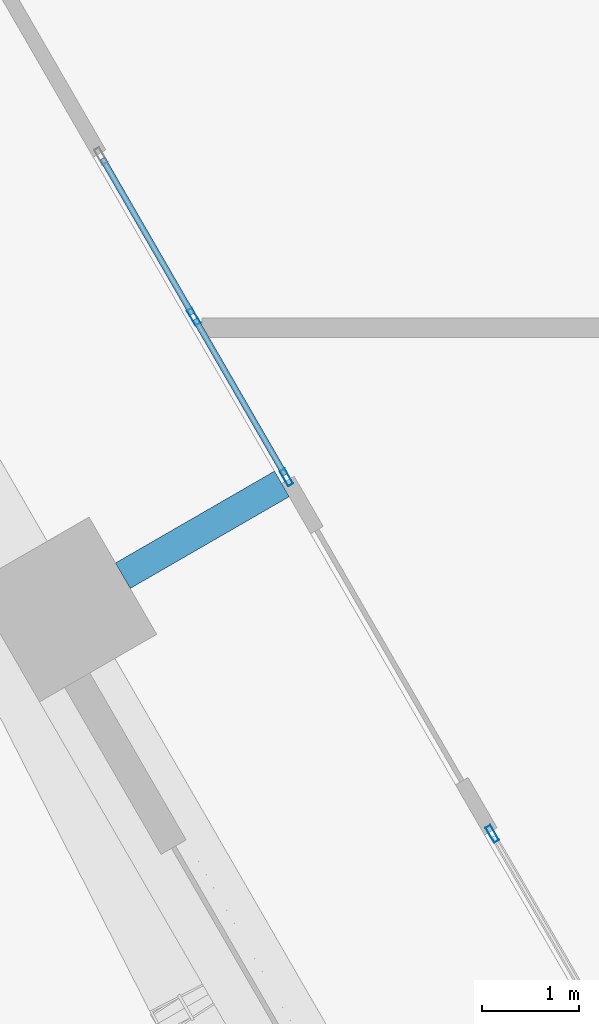
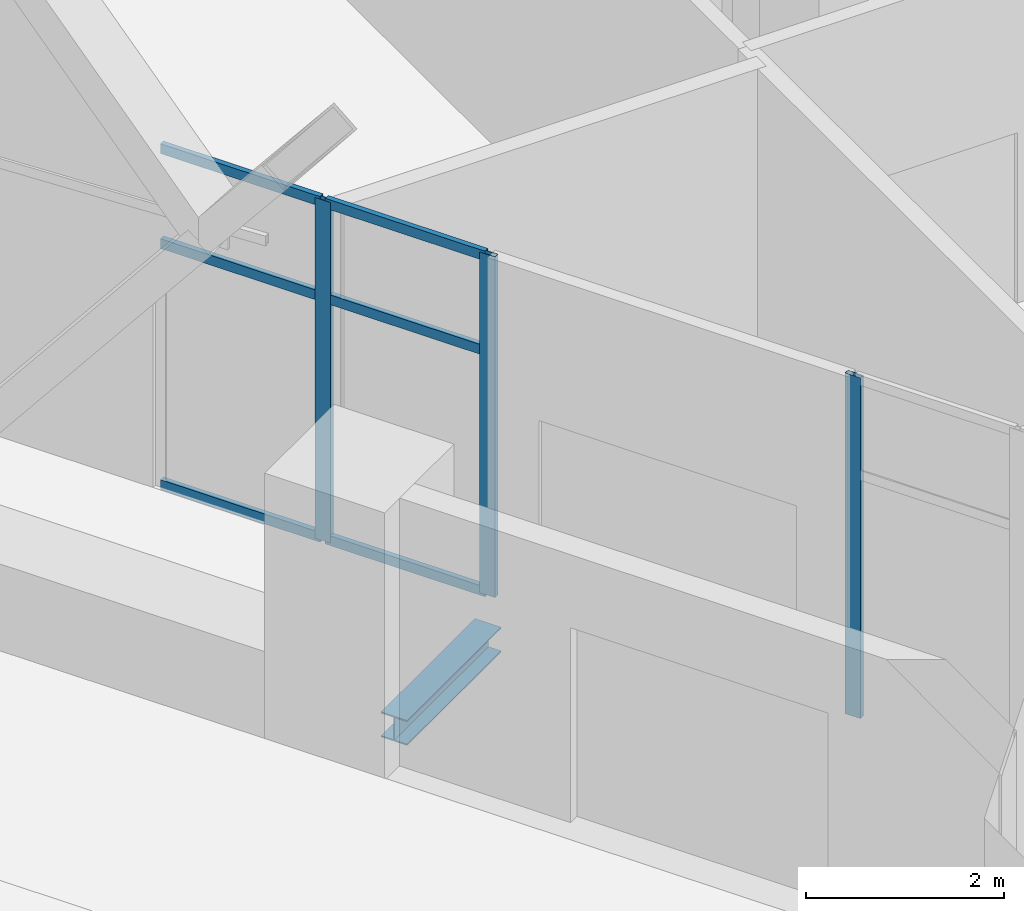
# One storey, part 19 of 71: 9 members, 1 beam, 2 elements without a shape of their own.
"""IFC4 building model written with IfcOpenShell, lengths in metres."""

from ifc_helpers import new_model, si_unit, direction, frame, origin, origin_2d, place, context, subcontext, project, spatial, hollow_rectangle, i_section, extrude, material, material_profile, profile_set, type_object, element, aggregate, save


model = new_model("IFC4")

# Units and contexts
model_context = context("Model", 3, precision=1e-05, world=origin(), true_north=direction((0.0, 1.0)))
body_context = subcontext(model_context, "Body", "Model", "MODEL_VIEW")
ifc_project = project(units=[si_unit("LENGTHUNIT", "METRE"), si_unit("AREAUNIT", "SQUARE_METRE"), si_unit("VOLUMEUNIT", "CUBIC_METRE"), si_unit("PLANEANGLEUNIT", "RADIAN"), si_unit("MASSUNIT", "GRAM", prefix="KILO")], contexts=[model_context])

# Site, building, storey
site_placement = place(None, origin())
site = spatial("IfcSite", under=ifc_project, at=site_placement, CompositionType="ELEMENT")
building_placement = place(site_placement, origin())
building = spatial("IfcBuilding", under=site, at=building_placement, Name="Ostrander Bayou Hotel Tower", CompositionType="ELEMENT")
storey_placement = place(building_placement, frame((0.0, 0.0, 10.0)))
storey = spatial("IfcBuildingStorey", under=building, at=storey_placement, Name="L02", CompositionType="ELEMENT", Elevation=10.0)

# Curtain wall, members
ifc_material_1 = material(Name="Aluminium and clear glass", Category="aluminium")
curtain_wall_type = type_object("IfcCurtainWallType", Name="CW-SKY amenity glass wall", PredefinedType="NOTDEFINED", material=ifc_material_1)
curtain_wall_1_placement = place(storey_placement, origin())
curtain_wall_1 = element("IfcCurtainWall", 1, at=curtain_wall_1_placement, inside=storey, type_object=curtain_wall_type, Name="CW-SKY L02 SW 1", PredefinedType="NOTDEFINED")
ifc_material_2 = material(Name="Aluminium", Category="aluminium")
ifc_material_profile_1 = material_profile(ifc_material_2, hollow_rectangle(XDim=0.06005859375, YDim=0.179931640625, WallThickness=0.00390625, at=origin_2d()))
ifc_profile_set_1 = profile_set([ifc_material_profile_1], Name="Aluminium")
member_type_1 = type_object("IfcMemberType", Name="CW-SK mullion 60 x 180 mm", PredefinedType="MULLION", material=ifc_profile_set_1)
member_1_placement = place(storey_placement, frame((-19.031494140625, -3.886474609375, 0.0), z_axis=(0.0, 0.0, 1.0), x_axis=(0.866025463091, 0.499999897278, 0.0)))
member_1 = element("IfcMember", 2, at=member_1_placement, type_object=member_type_1, Name="CW-SKY mullion 2", PredefinedType="MULLION", context=body_context, shape_type="SweptSolid", body=[
    extrude(hollow_rectangle(XDim=0.06005859375, YDim=0.179931640625, WallThickness=0.00390625, at=origin_2d()), origin(), (0.0, 0.0, 1.0), 4.199951171875),
])
member_2_placement = place(storey_placement, frame((-18.071533203125, -5.54931640625, 0.0), z_axis=(0.0, 0.0, 1.0), x_axis=(0.866025463091, 0.499999897278, 0.0)))
member_2 = element("IfcMember", 3, at=member_2_placement, type_object=member_type_1, Name="CW-SKY mullion 3", PredefinedType="MULLION", context=body_context, shape_type="SweptSolid", body=[
    extrude(hollow_rectangle(XDim=0.06005859375, YDim=0.179931640625, WallThickness=0.00390625, at=origin_2d()), origin(), (0.0, 0.0, 1.0), 4.199951171875),
])

# Curtain wall, member
curtain_wall_2_placement = place(storey_placement, origin())
curtain_wall_2 = element("IfcCurtainWall", 4, at=curtain_wall_2_placement, inside=storey, type_object=curtain_wall_type, Name="CW-SKY L02 SW 3", PredefinedType="NOTDEFINED")
member_3_placement = place(storey_placement, frame((-15.94140625, -9.238525390625, 0.0), z_axis=(0.0, 0.0, 1.0), x_axis=(0.866025463091, 0.499999897278, 0.0)))
member_3 = element("IfcMember", 5, at=member_3_placement, type_object=member_type_1, Name="CW-SKY mullion 1", PredefinedType="MULLION", context=body_context, shape_type="SweptSolid", body=[
    extrude(hollow_rectangle(XDim=0.06005859375, YDim=0.179931640625, WallThickness=0.00390625, at=origin_2d()), origin(), (0.0, 0.0, 1.0), 4.199951171875),
])
aggregate(curtain_wall_2, [member_3])

# Member
ifc_material_3 = material(Name="Aluminium", Category="aluminium")
ifc_material_profile_2 = material_profile(ifc_material_3, hollow_rectangle(XDim=0.06005859375, YDim=0.1201171875, WallThickness=0.00390625, at=origin_2d()))
ifc_profile_set_2 = profile_set([ifc_material_profile_2], Name="Aluminium")
member_type_2 = type_object("IfcMemberType", Name="CW-SK transom 60 x 120 mm", PredefinedType="USERDEFINED", material=ifc_profile_set_2)
member_4_placement = place(storey_placement, frame((-19.9765625, -2.249755859375, 0.030029296875), z_axis=(0.50012012977, -0.86595603572, 0.0), x_axis=(0.86595603572, 0.50012012977, 0.0)))
member_4 = element("IfcMember", 6, at=member_4_placement, type_object=member_type_2, Name="CW-SKY transom 1.1", ObjectType="TRANSOM", PredefinedType="USERDEFINED", context=body_context, shape_type="SweptSolid", body=[
    extrude(hollow_rectangle(XDim=0.06005859375, YDim=0.1201171875, WallThickness=0.00390625, at=origin_2d()), origin(), (0.0, 0.0, 1.0), 1.85986328125),
])

member_5_placement = place(storey_placement, frame((-19.9765625, -2.249755859375, 3.0), z_axis=(0.50012012977, -0.86595603572, 0.0), x_axis=(0.86595603572, 0.50012012977, 0.0)))
member_5 = element("IfcMember", 7, at=member_5_placement, type_object=member_type_2, Name="CW-SKY transom 1.2", ObjectType="TRANSOM", PredefinedType="USERDEFINED", context=body_context, shape_type="SweptSolid", body=[
    extrude(hollow_rectangle(XDim=0.06005859375, YDim=0.1201171875, WallThickness=0.00390625, at=origin_2d()), origin(), (0.0, 0.0, 1.0), 1.85986328125),
])

member_6_placement = place(storey_placement, frame((-19.9765625, -2.249755859375, 4.169921875), z_axis=(0.50012012977, -0.86595603572, 0.0), x_axis=(0.86595603572, 0.50012012977, 0.0)))
member_6 = element("IfcMember", 8, at=member_6_placement, type_object=member_type_2, Name="CW-SKY transom 1.3", ObjectType="TRANSOM", PredefinedType="USERDEFINED", context=body_context, shape_type="SweptSolid", body=[
    extrude(hollow_rectangle(XDim=0.06005859375, YDim=0.1201171875, WallThickness=0.00390625, at=origin_2d()), origin(), (0.0, 0.0, 1.0), 1.85986328125),
])

member_7_placement = place(storey_placement, frame((-19.0166015625, -3.912353515625, 0.030029296875), z_axis=(0.500063286585, -0.865988862174, 0.0), x_axis=(0.865988862174, 0.500063286585, 0.0)))
member_7 = element("IfcMember", 9, at=member_7_placement, type_object=member_type_2, Name="CW-SKY transom 2.1", ObjectType="TRANSOM", PredefinedType="USERDEFINED", context=body_context, shape_type="SweptSolid", body=[
    extrude(hollow_rectangle(XDim=0.06005859375, YDim=0.1201171875, WallThickness=0.00390625, at=origin_2d()), origin(), (0.0, 0.0, 1.0), 1.860107421875),
])

member_8_placement = place(storey_placement, frame((-19.0166015625, -3.912353515625, 3.0), z_axis=(0.500063286585, -0.865988862174, 0.0), x_axis=(0.865988862174, 0.500063286585, 0.0)))
member_8 = element("IfcMember", 10, at=member_8_placement, type_object=member_type_2, Name="CW-SKY transom 2.2", ObjectType="TRANSOM", PredefinedType="USERDEFINED", context=body_context, shape_type="SweptSolid", body=[
    extrude(hollow_rectangle(XDim=0.06005859375, YDim=0.1201171875, WallThickness=0.00390625, at=origin_2d()), origin(), (0.0, 0.0, 1.0), 1.860107421875),
])

member_9_placement = place(storey_placement, frame((-19.0166015625, -3.912353515625, 4.169921875), z_axis=(0.500063286585, -0.865988862174, 0.0), x_axis=(0.865988862174, 0.500063286585, 0.0)))
member_9 = element("IfcMember", 11, at=member_9_placement, type_object=member_type_2, Name="CW-SKY transom 2.3", ObjectType="TRANSOM", PredefinedType="USERDEFINED", context=body_context, shape_type="SweptSolid", body=[
    extrude(hollow_rectangle(XDim=0.06005859375, YDim=0.1201171875, WallThickness=0.00390625, at=origin_2d()), origin(), (0.0, 0.0, 1.0), 1.860107421875),
])

aggregate(curtain_wall_1, [member_1, member_2, member_4, member_5, member_6, member_7, member_8, member_9])

# Beam
ifc_material_4 = material(Name="Steel ASTM A992", Category="steel")
ifc_material_profile_3 = material_profile(ifc_material_4, i_section(OverallWidth=0.3046875, OverallDepth=0.307861328125, WebThickness=0.010009765625, FlangeThickness=0.015380859375, at=origin_2d()))
ifc_profile_set_3 = profile_set([ifc_material_profile_3], Name="Steel ASTM A992")
beam_type = type_object("IfcBeamType", Name="LB1 loggia bracket W12x65", PredefinedType="BEAM", material=ifc_profile_set_3)
beam_placement = place(storey_placement, frame((-19.7646484375, -6.566650390625, -0.453857421875), z_axis=(0.866044365799, 0.499967155389, 0.0), x_axis=(-0.499967155389, 0.866044365799, 0.0)))
element("IfcBeam", 12, at=beam_placement, inside=storey, type_object=beam_type, Name="LB1 L02 SW1", PredefinedType="BEAM", context=body_context, shape_type="SweptSolid", body=[
    extrude(i_section(OverallWidth=0.3046875, OverallDepth=0.307861328125, WebThickness=0.010009765625, FlangeThickness=0.015380859375, at=origin_2d()), origin(), (0.0, 0.0, 1.0), 1.900146484375),
])

save(model, "model.ifc")
